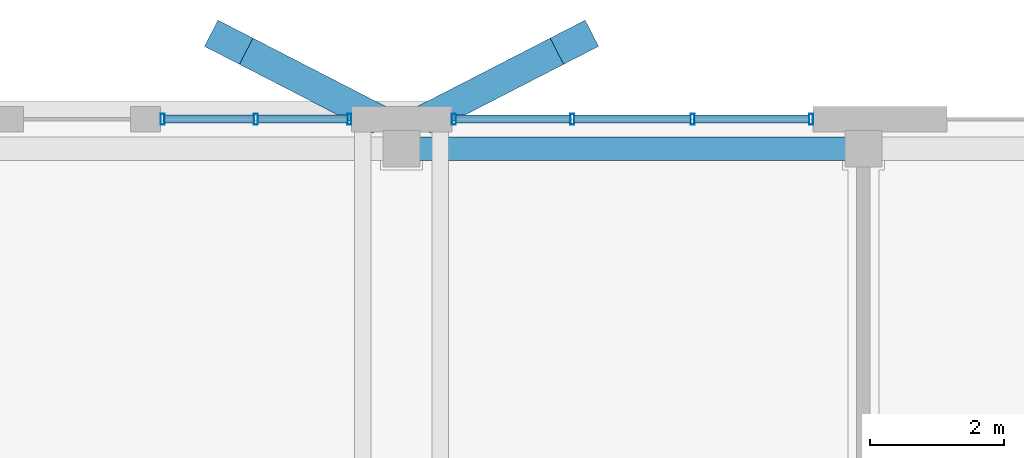
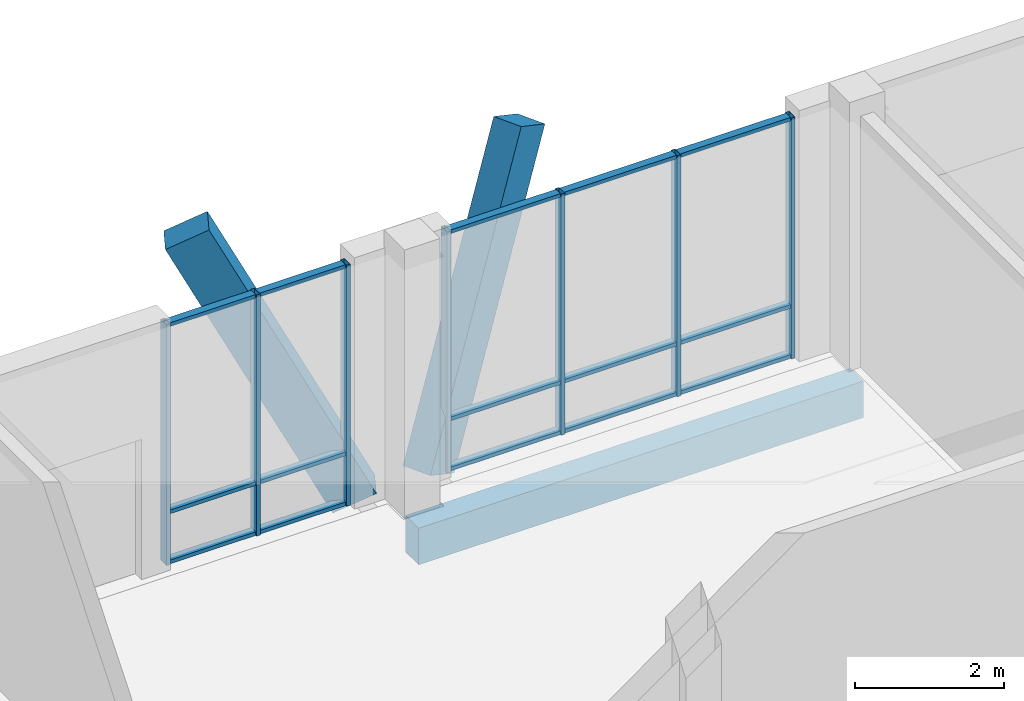
# One storey, part 170 of 233: 24 members, 1 beam, 2 elements without a shape of their own.
"""IFC4 building model written with IfcOpenShell, lengths in metres."""

from ifc_helpers import new_model, si_unit, direction, frame, origin, origin_2d, place, context, subcontext, project, spatial, rectangle, hollow_rectangle, extrude, material, material_profile, profile_set, type_object, element, aggregate, save


model = new_model("IFC4")

# Units and contexts
model_context = context("Model", 3, precision=1e-05, world=origin(), true_north=direction((0.0, 1.0)))
body_context = subcontext(model_context, "Body", "Model", "MODEL_VIEW")
ifc_project = project(units=[si_unit("LENGTHUNIT", "METRE"), si_unit("AREAUNIT", "SQUARE_METRE"), si_unit("VOLUMEUNIT", "CUBIC_METRE"), si_unit("PLANEANGLEUNIT", "RADIAN"), si_unit("MASSUNIT", "GRAM", prefix="KILO")], contexts=[model_context])

# Site, building, storey
site_placement = place(None, origin())
site = spatial("IfcSite", under=ifc_project, at=site_placement, CompositionType="ELEMENT")
building_placement = place(site_placement, origin())
building = spatial("IfcBuilding", under=site, at=building_placement, Name="Zavelmont Quarter", CompositionType="ELEMENT")
storey_placement = place(building_placement, origin())
storey = spatial("IfcBuildingStorey", under=building, at=storey_placement, Name="L00", CompositionType="ELEMENT", Elevation=0.0)

# Beam
ifc_material_1 = material(Name="Concrete C35/45", Category="concrete")
ifc_material_profile_1 = material_profile(ifc_material_1, rectangle(XDim=0.35009765625, YDim=0.60009765625, at=origin_2d()), Name="RC350X600")
ifc_profile_set_1 = profile_set([ifc_material_profile_1], Name="Concrete C35/45")
beam_type = type_object("IfcBeamType", Name="BM01", PredefinedType="SPANDREL", material=ifc_profile_set_1)
beam_placement = place(storey_placement, frame((147.300048828125, 115.56005859375, -0.6201171875), z_axis=(1.0, 0.0, 0.0), x_axis=(0.0, 1.0, 0.0)))
element("IfcBeam", 1, at=beam_placement, inside=storey, type_object=beam_type, Name="L00 beam BM01 22/S to 23/S", PredefinedType="SPANDREL", context=body_context, shape_type="SweptSolid", body=[
    extrude(rectangle(XDim=0.35009765625, YDim=0.60009765625, at=origin_2d()), origin(), (0.0, 0.0, 1.0), 6.89990234375),
])

# Curtain wall, members
ifc_material_2 = material(Name="Thermally broken aluminium and double low-E safety glazing", Category="aluminium")
curtain_wall_type_1 = type_object("IfcCurtainWallType", Name="CW-285X395", PredefinedType="NOTDEFINED", material=ifc_material_2)
curtain_wall_1_placement = place(storey_placement, origin())
curtain_wall_1 = element("IfcCurtainWall", 2, at=curtain_wall_1_placement, inside=storey, type_object=curtain_wall_type_1, Name="L00 unitised curtain wall CW-285X395", PredefinedType="NOTDEFINED")
ifc_material_3 = material(Name="Powder-coated aluminium EN AW-6063-T6", Category="aluminium")
ifc_material_profile_2 = material_profile(ifc_material_3, hollow_rectangle(XDim=0.06005859375, YDim=0.159912109375, WallThickness=0.00390625, at=origin_2d()), Name="CWM60X160")
ifc_profile_set_2 = profile_set([ifc_material_profile_2], Name="Powder-coated aluminium EN AW-6063-T6")
member_type_1 = type_object("IfcMemberType", Name="CWM01", PredefinedType="MULLION", material=ifc_profile_set_2)
member_1_placement = place(storey_placement, frame((143.72998046875, 116.0, 0.0), z_axis=(0.0, 0.0, 1.0), x_axis=(1.0, 0.0, 0.0)))
member_1 = element("IfcMember", 3, at=member_1_placement, type_object=member_type_1, Name="CW-285X395 mullion 1", PredefinedType="MULLION", context=body_context, shape_type="SweptSolid", body=[
    extrude(hollow_rectangle(XDim=0.06005859375, YDim=0.159912109375, WallThickness=0.00390625, at=origin_2d()), origin(), (0.0, 0.0, 1.0), 3.949951171875),
])
member_2_placement = place(storey_placement, frame((145.125, 116.0, 0.0), z_axis=(0.0, 0.0, 1.0), x_axis=(1.0, 0.0, 0.0)))
member_2 = element("IfcMember", 4, at=member_2_placement, type_object=member_type_1, Name="CW-285X395 mullion 2", PredefinedType="MULLION", context=body_context, shape_type="SweptSolid", body=[
    extrude(hollow_rectangle(XDim=0.06005859375, YDim=0.159912109375, WallThickness=0.00390625, at=origin_2d()), origin(), (0.0, 0.0, 1.0), 3.949951171875),
])
member_3_placement = place(storey_placement, frame((146.52001953125, 116.0, 0.0), z_axis=(0.0, 0.0, 1.0), x_axis=(1.0, 0.0, 0.0)))
member_3 = element("IfcMember", 5, at=member_3_placement, type_object=member_type_1, Name="CW-285X395 mullion 3", PredefinedType="MULLION", context=body_context, shape_type="SweptSolid", body=[
    extrude(hollow_rectangle(XDim=0.06005859375, YDim=0.159912109375, WallThickness=0.00390625, at=origin_2d()), origin(), (0.0, 0.0, 1.0), 3.949951171875),
])

curtain_wall_type_2 = type_object("IfcCurtainWallType", Name="CW-540X395", PredefinedType="NOTDEFINED", material=ifc_material_2)
curtain_wall_2_placement = place(storey_placement, origin())
curtain_wall_2 = element("IfcCurtainWall", 6, at=curtain_wall_2_placement, inside=storey, type_object=curtain_wall_type_2, Name="L00 unitised curtain wall CW-540X395", PredefinedType="NOTDEFINED")
member_4_placement = place(storey_placement, frame((148.080078125, 116.0, 0.0), z_axis=(0.0, 0.0, 1.0), x_axis=(1.0, 0.0, 0.0)))
member_4 = element("IfcMember", 7, at=member_4_placement, type_object=member_type_1, Name="CW-540X395 mullion 1", PredefinedType="MULLION", context=body_context, shape_type="SweptSolid", body=[
    extrude(hollow_rectangle(XDim=0.06005859375, YDim=0.159912109375, WallThickness=0.00390625, at=origin_2d()), origin(), (0.0, 0.0, 1.0), 3.949951171875),
])
member_5_placement = place(storey_placement, frame((149.85009765625, 116.0, 0.0), z_axis=(0.0, 0.0, 1.0), x_axis=(1.0, 0.0, 0.0)))
member_5 = element("IfcMember", 8, at=member_5_placement, type_object=member_type_1, Name="CW-540X395 mullion 2", PredefinedType="MULLION", context=body_context, shape_type="SweptSolid", body=[
    extrude(hollow_rectangle(XDim=0.06005859375, YDim=0.159912109375, WallThickness=0.00390625, at=origin_2d()), origin(), (0.0, 0.0, 1.0), 3.949951171875),
])
member_6_placement = place(storey_placement, frame((151.64990234375, 116.0, 0.0), z_axis=(0.0, 0.0, 1.0), x_axis=(1.0, 0.0, 0.0)))
member_6 = element("IfcMember", 9, at=member_6_placement, type_object=member_type_1, Name="CW-540X395 mullion 3", PredefinedType="MULLION", context=body_context, shape_type="SweptSolid", body=[
    extrude(hollow_rectangle(XDim=0.06005859375, YDim=0.159912109375, WallThickness=0.00390625, at=origin_2d()), origin(), (0.0, 0.0, 1.0), 3.949951171875),
])
member_7_placement = place(storey_placement, frame((153.419921875, 116.0, 0.0), z_axis=(0.0, 0.0, 1.0), x_axis=(1.0, 0.0, 0.0)))
member_7 = element("IfcMember", 10, at=member_7_placement, type_object=member_type_1, Name="CW-540X395 mullion 4", PredefinedType="MULLION", context=body_context, shape_type="SweptSolid", body=[
    extrude(hollow_rectangle(XDim=0.06005859375, YDim=0.159912109375, WallThickness=0.00390625, at=origin_2d()), origin(), (0.0, 0.0, 1.0), 3.949951171875),
])

# Member
ifc_material_profile_3 = material_profile(ifc_material_3, hollow_rectangle(XDim=0.1201171875, YDim=0.06005859375, WallThickness=0.00390625, at=origin_2d()), Name="CWT60X120")
ifc_profile_set_3 = profile_set([ifc_material_profile_3], Name="Powder-coated aluminium EN AW-6063-T6")
member_type_2 = type_object("IfcMemberType", Name="CWT01", PredefinedType="NOTDEFINED", material=ifc_profile_set_3)
member_8_placement = place(storey_placement, frame((143.760009765625, 116.0, 0.030029296875), z_axis=(1.0, 0.0, 0.0), x_axis=(0.0, 1.0, 0.0)))
member_8 = element("IfcMember", 11, at=member_8_placement, type_object=member_type_2, Name="CW-285X395 transom 1.1", ObjectType="TRANSOM", PredefinedType="USERDEFINED", context=body_context, shape_type="SweptSolid", body=[
    extrude(hollow_rectangle(XDim=0.1201171875, YDim=0.06005859375, WallThickness=0.00390625, at=origin_2d()), origin(), (0.0, 0.0, 1.0), 1.3349609375),
])

member_9_placement = place(storey_placement, frame((143.760009765625, 116.0, 0.85009765625), z_axis=(1.0, 0.0, 0.0), x_axis=(0.0, 1.0, 0.0)))
member_9 = element("IfcMember", 12, at=member_9_placement, type_object=member_type_2, Name="CW-285X395 transom 1.2", ObjectType="TRANSOM", PredefinedType="USERDEFINED", context=body_context, shape_type="SweptSolid", body=[
    extrude(hollow_rectangle(XDim=0.1201171875, YDim=0.06005859375, WallThickness=0.00390625, at=origin_2d()), origin(), (0.0, 0.0, 1.0), 1.3349609375),
])

member_10_placement = place(storey_placement, frame((143.760009765625, 116.0, 3.919921875), z_axis=(1.0, 0.0, 0.0), x_axis=(0.0, 1.0, 0.0)))
member_10 = element("IfcMember", 13, at=member_10_placement, type_object=member_type_2, Name="CW-285X395 transom 1.3", ObjectType="TRANSOM", PredefinedType="USERDEFINED", context=body_context, shape_type="SweptSolid", body=[
    extrude(hollow_rectangle(XDim=0.1201171875, YDim=0.06005859375, WallThickness=0.00390625, at=origin_2d()), origin(), (0.0, 0.0, 1.0), 1.3349609375),
])

member_11_placement = place(storey_placement, frame((145.155029296875, 116.0, 0.030029296875), z_axis=(1.0, 0.0, 0.0), x_axis=(0.0, 1.0, 0.0)))
member_11 = element("IfcMember", 14, at=member_11_placement, type_object=member_type_2, Name="CW-285X395 transom 2.1", ObjectType="TRANSOM", PredefinedType="USERDEFINED", context=body_context, shape_type="SweptSolid", body=[
    extrude(hollow_rectangle(XDim=0.1201171875, YDim=0.06005859375, WallThickness=0.00390625, at=origin_2d()), origin(), (0.0, 0.0, 1.0), 1.3349609375),
])

member_12_placement = place(storey_placement, frame((145.155029296875, 116.0, 0.85009765625), z_axis=(1.0, 0.0, 0.0), x_axis=(0.0, 1.0, 0.0)))
member_12 = element("IfcMember", 15, at=member_12_placement, type_object=member_type_2, Name="CW-285X395 transom 2.2", ObjectType="TRANSOM", PredefinedType="USERDEFINED", context=body_context, shape_type="SweptSolid", body=[
    extrude(hollow_rectangle(XDim=0.1201171875, YDim=0.06005859375, WallThickness=0.00390625, at=origin_2d()), origin(), (0.0, 0.0, 1.0), 1.3349609375),
])

member_13_placement = place(storey_placement, frame((145.155029296875, 116.0, 3.919921875), z_axis=(1.0, 0.0, 0.0), x_axis=(0.0, 1.0, 0.0)))
member_13 = element("IfcMember", 16, at=member_13_placement, type_object=member_type_2, Name="CW-285X395 transom 2.3", ObjectType="TRANSOM", PredefinedType="USERDEFINED", context=body_context, shape_type="SweptSolid", body=[
    extrude(hollow_rectangle(XDim=0.1201171875, YDim=0.06005859375, WallThickness=0.00390625, at=origin_2d()), origin(), (0.0, 0.0, 1.0), 1.3349609375),
])

aggregate(curtain_wall_1, [member_1, member_2, member_3, member_8, member_9, member_10, member_11, member_12, member_13])

member_14_placement = place(storey_placement, frame((148.110107421875, 116.0, 0.030029296875), z_axis=(1.0, 0.0, 0.0), x_axis=(0.0, 1.0, 0.0)))
member_14 = element("IfcMember", 17, at=member_14_placement, type_object=member_type_2, Name="CW-540X395 transom 1.1", ObjectType="TRANSOM", PredefinedType="USERDEFINED", context=body_context, shape_type="SweptSolid", body=[
    extrude(hollow_rectangle(XDim=0.1201171875, YDim=0.06005859375, WallThickness=0.00390625, at=origin_2d()), origin(), (0.0, 0.0, 1.0), 1.7099609375),
])

member_15_placement = place(storey_placement, frame((148.110107421875, 116.0, 0.85009765625), z_axis=(1.0, 0.0, 0.0), x_axis=(0.0, 1.0, 0.0)))
member_15 = element("IfcMember", 18, at=member_15_placement, type_object=member_type_2, Name="CW-540X395 transom 1.2", ObjectType="TRANSOM", PredefinedType="USERDEFINED", context=body_context, shape_type="SweptSolid", body=[
    extrude(hollow_rectangle(XDim=0.1201171875, YDim=0.06005859375, WallThickness=0.00390625, at=origin_2d()), origin(), (0.0, 0.0, 1.0), 1.7099609375),
])

member_16_placement = place(storey_placement, frame((148.110107421875, 116.0, 3.919921875), z_axis=(1.0, 0.0, 0.0), x_axis=(0.0, 1.0, 0.0)))
member_16 = element("IfcMember", 19, at=member_16_placement, type_object=member_type_2, Name="CW-540X395 transom 1.3", ObjectType="TRANSOM", PredefinedType="USERDEFINED", context=body_context, shape_type="SweptSolid", body=[
    extrude(hollow_rectangle(XDim=0.1201171875, YDim=0.06005859375, WallThickness=0.00390625, at=origin_2d()), origin(), (0.0, 0.0, 1.0), 1.7099609375),
])

member_17_placement = place(storey_placement, frame((149.8798828125, 116.0, 0.030029296875), z_axis=(1.0, 0.0, 0.0), x_axis=(0.0, 1.0, 0.0)))
member_17 = element("IfcMember", 20, at=member_17_placement, type_object=member_type_2, Name="CW-540X395 transom 2.1", ObjectType="TRANSOM", PredefinedType="USERDEFINED", context=body_context, shape_type="SweptSolid", body=[
    extrude(hollow_rectangle(XDim=0.1201171875, YDim=0.06005859375, WallThickness=0.00390625, at=origin_2d()), origin(), (0.0, 0.0, 1.0), 1.740234375),
])

member_18_placement = place(storey_placement, frame((149.8798828125, 116.0, 0.85009765625), z_axis=(1.0, 0.0, 0.0), x_axis=(0.0, 1.0, 0.0)))
member_18 = element("IfcMember", 21, at=member_18_placement, type_object=member_type_2, Name="CW-540X395 transom 2.2", ObjectType="TRANSOM", PredefinedType="USERDEFINED", context=body_context, shape_type="SweptSolid", body=[
    extrude(hollow_rectangle(XDim=0.1201171875, YDim=0.06005859375, WallThickness=0.00390625, at=origin_2d()), origin(), (0.0, 0.0, 1.0), 1.740234375),
])

member_19_placement = place(storey_placement, frame((149.8798828125, 116.0, 3.919921875), z_axis=(1.0, 0.0, 0.0), x_axis=(0.0, 1.0, 0.0)))
member_19 = element("IfcMember", 22, at=member_19_placement, type_object=member_type_2, Name="CW-540X395 transom 2.3", ObjectType="TRANSOM", PredefinedType="USERDEFINED", context=body_context, shape_type="SweptSolid", body=[
    extrude(hollow_rectangle(XDim=0.1201171875, YDim=0.06005859375, WallThickness=0.00390625, at=origin_2d()), origin(), (0.0, 0.0, 1.0), 1.740234375),
])

member_20_placement = place(storey_placement, frame((151.679931640625, 116.0, 0.030029296875), z_axis=(1.0, 0.0, 0.0), x_axis=(0.0, 1.0, 0.0)))
member_20 = element("IfcMember", 23, at=member_20_placement, type_object=member_type_2, Name="CW-540X395 transom 3.1", ObjectType="TRANSOM", PredefinedType="USERDEFINED", context=body_context, shape_type="SweptSolid", body=[
    extrude(hollow_rectangle(XDim=0.1201171875, YDim=0.06005859375, WallThickness=0.00390625, at=origin_2d()), origin(), (0.0, 0.0, 1.0), 1.7099609375),
])

member_21_placement = place(storey_placement, frame((151.679931640625, 116.0, 0.85009765625), z_axis=(1.0, 0.0, 0.0), x_axis=(0.0, 1.0, 0.0)))
member_21 = element("IfcMember", 24, at=member_21_placement, type_object=member_type_2, Name="CW-540X395 transom 3.2", ObjectType="TRANSOM", PredefinedType="USERDEFINED", context=body_context, shape_type="SweptSolid", body=[
    extrude(hollow_rectangle(XDim=0.1201171875, YDim=0.06005859375, WallThickness=0.00390625, at=origin_2d()), origin(), (0.0, 0.0, 1.0), 1.7099609375),
])

member_22_placement = place(storey_placement, frame((151.679931640625, 116.0, 3.919921875), z_axis=(1.0, 0.0, 0.0), x_axis=(0.0, 1.0, 0.0)))
member_22 = element("IfcMember", 25, at=member_22_placement, type_object=member_type_2, Name="CW-540X395 transom 3.3", ObjectType="TRANSOM", PredefinedType="USERDEFINED", context=body_context, shape_type="SweptSolid", body=[
    extrude(hollow_rectangle(XDim=0.1201171875, YDim=0.06005859375, WallThickness=0.00390625, at=origin_2d()), origin(), (0.0, 0.0, 1.0), 1.7099609375),
])

aggregate(curtain_wall_2, [member_4, member_5, member_6, member_7, member_14, member_15, member_16, member_17, member_18, member_19, member_20, member_21, member_22])

# Members
ifc_material_4 = material(Name="White architectural precast concrete C40/50", Category="concrete")
ifc_material_profile_4 = material_profile(ifc_material_4, rectangle(XDim=0.43994140625, YDim=0.659912109375, at=origin_2d()), Name="PCR320X480")
ifc_profile_set_4 = profile_set([ifc_material_profile_4], Name="White architectural precast concrete C40/50")
member_type_3 = type_object("IfcMemberType", Name="VR01M", PredefinedType="CHORD", material=ifc_profile_set_4)
member_23_placement = place(storey_placement, frame((146.719970703125, 116.1201171875, 0.0), z_axis=(-0.405056078871, 0.208356895205, 0.890234226027), x_axis=(-0.457421521308, -0.889249994008, 0.0)))
element("IfcMember", 26, at=member_23_placement, inside=storey, type_object=member_type_3, Name="L00 member VR01M 22/S to 22/S", PredefinedType="CHORD", context=body_context, shape_type="SweptSolid", body=[
    extrude(rectangle(XDim=0.43994140625, YDim=0.659912109375, at=origin_2d()), origin(), (0.0, 0.0, 1.0), 4.9423828125),
])
member_24_placement = place(storey_placement, frame((147.8798828125, 116.1201171875, 0.0), z_axis=(0.405097370114, 0.208352726148, 0.890216413145), x_axis=(-0.457377413635, 0.889272681182, 0.0)))
element("IfcMember", 27, at=member_24_placement, inside=storey, type_object=member_type_3, Name="L00 member VR01M 22/S to 22/S", PredefinedType="CHORD", context=body_context, shape_type="SweptSolid", body=[
    extrude(rectangle(XDim=0.43994140625, YDim=0.659912109375, at=origin_2d()), origin(), (0.0, 0.0, 1.0), 4.942626953125),
])

save(model, "model.ifc")
